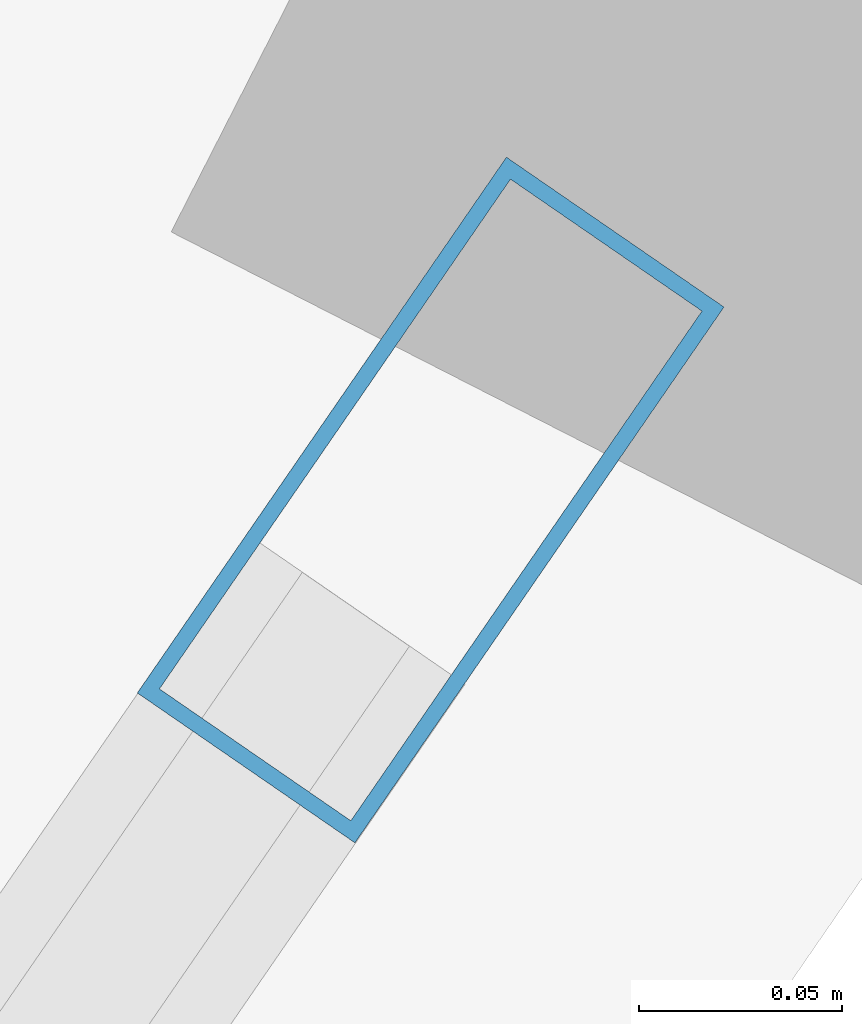
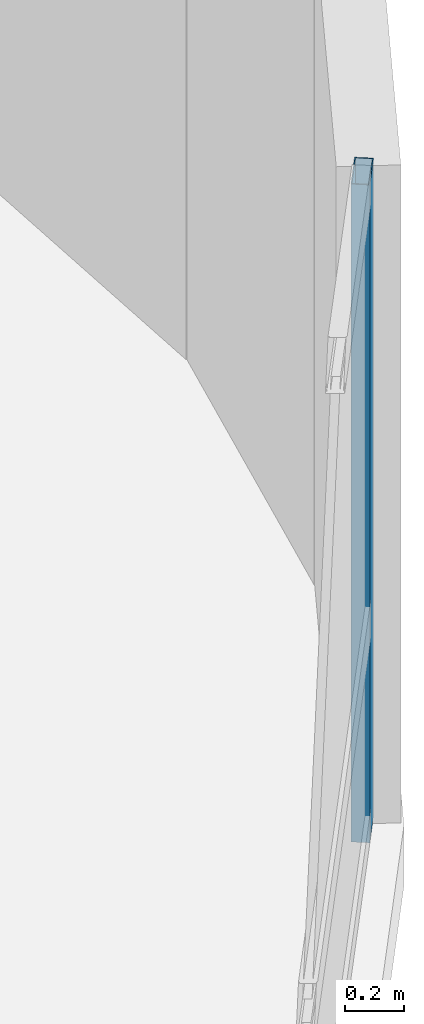
# One storey, part 11 of 25: 1 member, 1 element without a shape of its own.
"""IFC4 building model written with IfcOpenShell, lengths in metres."""

from ifc_helpers import new_model, si_unit, direction, frame, origin, origin_2d, place, context, subcontext, project, spatial, hollow_rectangle, extrude, material, layer, layer_set, material_profile, profile_set, type_object, element, aggregate, save


model = new_model("IFC4")

# Units and contexts
model_context = context("Model", 3, precision=1e-05, world=origin(), true_north=direction((0.0, 1.0)))
body_context = subcontext(model_context, "Body", "Model", "MODEL_VIEW")
ifc_project = project(units=[si_unit("LENGTHUNIT", "METRE"), si_unit("AREAUNIT", "SQUARE_METRE"), si_unit("VOLUMEUNIT", "CUBIC_METRE"), si_unit("PLANEANGLEUNIT", "RADIAN"), si_unit("MASSUNIT", "GRAM", prefix="KILO")], contexts=[model_context])

# Site, building, storey
site_placement = place(None, origin())
site = spatial("IfcSite", under=ifc_project, at=site_placement, CompositionType="ELEMENT")
building_placement = place(site_placement, origin())
building = spatial("IfcBuilding", under=site, at=building_placement, Name="Varnelok Gate Tower", CompositionType="ELEMENT")
storey_placement = place(building_placement, frame((0.0, 0.0, 34.39990234375)))
storey = spatial("IfcBuildingStorey", under=building, at=storey_placement, Name="L07", CompositionType="ELEMENT", Elevation=34.39990234375)

# Curtain wall, member
ifc_material = material(Name="Anodized Aluminum Alloy 6063-T6", Category="aluminium")
ifc_layer = layer(ifc_material, 0.179931640625)
ifc_layer_set = layer_set([ifc_layer], Name="Anodized Aluminum Alloy 6063-T6")
curtain_wall_type = type_object("IfcCurtainWallType", Name="CW3-HOTEL-VISION", PredefinedType="USERDEFINED", material=ifc_layer_set)
curtain_wall_placement = place(storey_placement, origin())
curtain_wall = element("IfcCurtainWall", 1, at=curtain_wall_placement, inside=storey, type_object=curtain_wall_type, Name="L07 East End Vision Curtain Wall", ObjectType="UNITISED CURTAIN WALL", PredefinedType="USERDEFINED")
ifc_material_profile = material_profile(ifc_material, hollow_rectangle(XDim=0.06494140625, YDim=0.159912109375, WallThickness=0.00390625, at=origin_2d()), Name="ALU160X65X4")
ifc_profile_set = profile_set([ifc_material_profile], Name="Anodized Aluminum Alloy 6063-T6")
member_type = type_object("IfcMemberType", Name="CW-MULL-160", PredefinedType="MULLION", material=ifc_profile_set)
member_placement = place(storey_placement, frame((82.52392578125, 19.33935546875, 0.0), z_axis=(0.0, 0.0, 1.0), x_axis=(0.823532685111, -0.567268822124, 0.0)))
member = element("IfcMember", 2, at=member_placement, type_object=member_type, Name="CW3 mullion 1", PredefinedType="MULLION", context=body_context, shape_type="SweptSolid", body=[
    extrude(hollow_rectangle(XDim=0.06494140625, YDim=0.159912109375, WallThickness=0.00390625, at=origin_2d()), origin(), (0.0, 0.0, 1.0), 2.72998046875),
])
aggregate(curtain_wall, [member])

save(model, "model.ifc")
